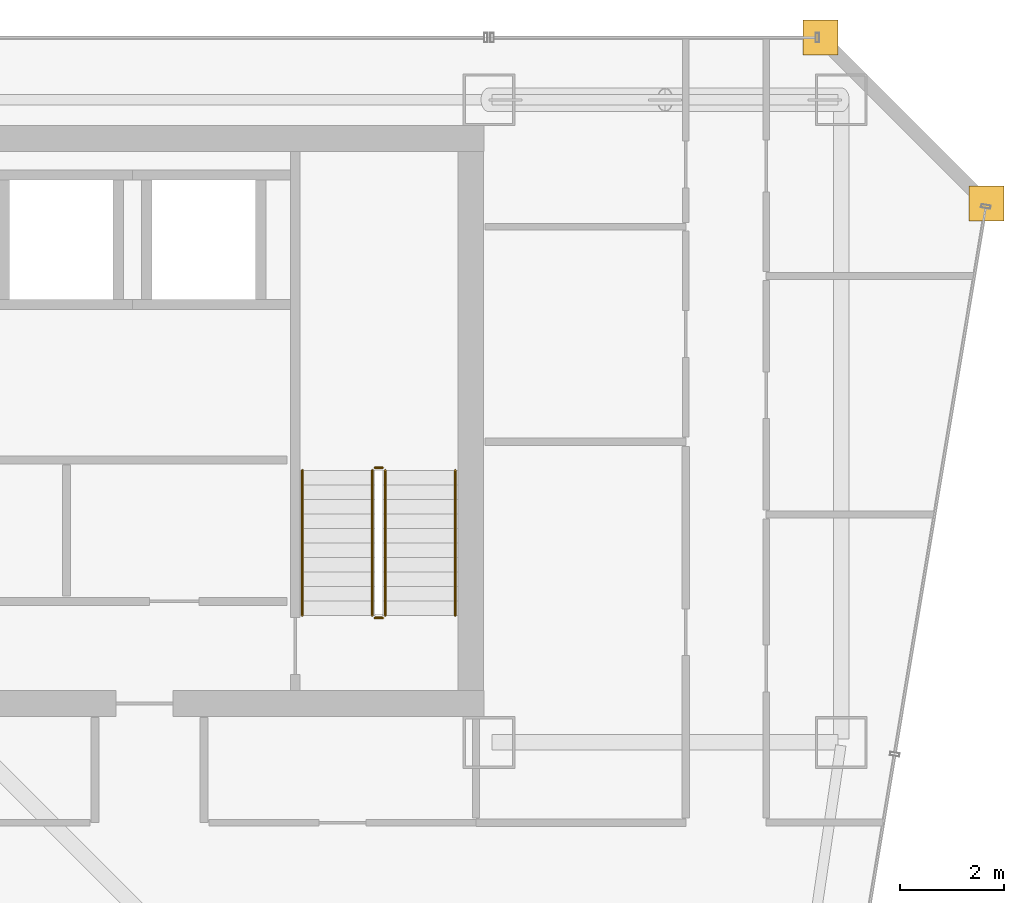
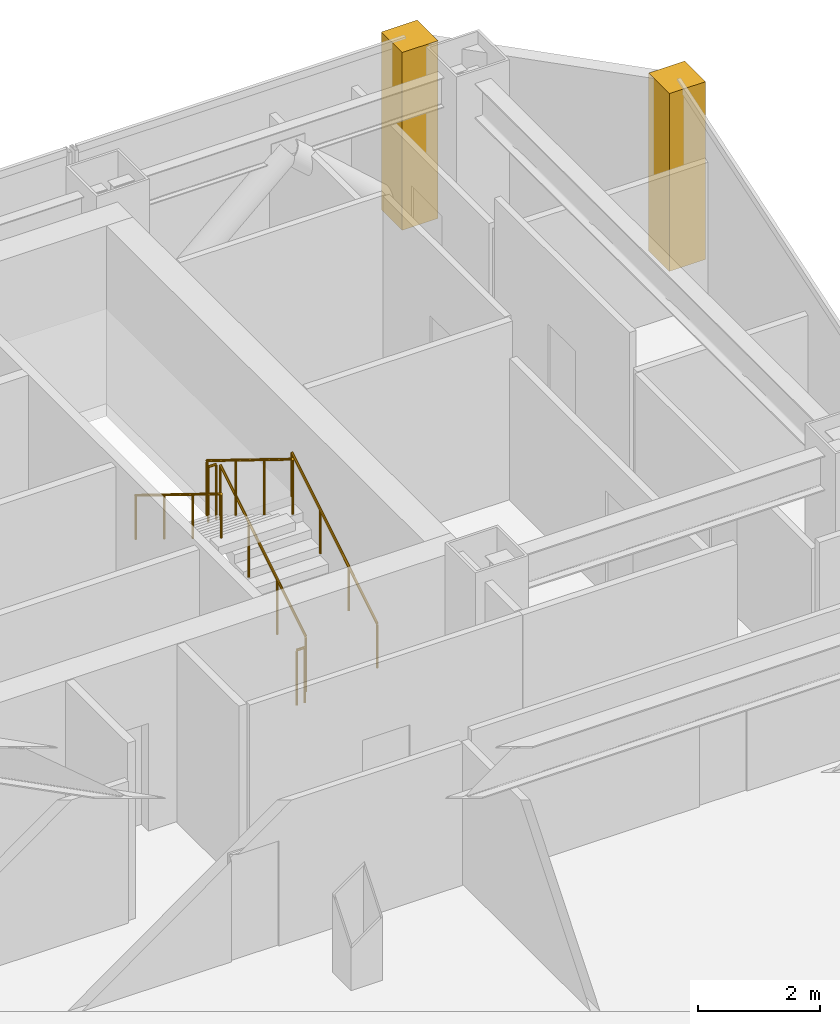
# One storey, part 37 of 37: 6 railings, 2 coverings.
"""IFC4 building model written with IfcOpenShell, lengths in metres."""

from ifc_helpers import new_model, si_unit, direction, frame, origin, origin_2d, place, context, subcontext, project, spatial, polyline, circle, outline, extrude, material, layer, layer_set, type_object, element, save


model = new_model("IFC4")

# Units and contexts
model_context = context("Model", 3, precision=1e-05, world=origin(), true_north=direction((0.0, 1.0)))
body_context = subcontext(model_context, "Body", "Model", "MODEL_VIEW")
ifc_project = project(units=[si_unit("LENGTHUNIT", "METRE"), si_unit("AREAUNIT", "SQUARE_METRE"), si_unit("VOLUMEUNIT", "CUBIC_METRE"), si_unit("PLANEANGLEUNIT", "RADIAN"), si_unit("MASSUNIT", "GRAM", prefix="KILO")], contexts=[model_context])

# Site, building, storey
site_placement = place(None, origin())
site = spatial("IfcSite", under=ifc_project, at=site_placement, CompositionType="ELEMENT")
building_placement = place(site_placement, origin())
building = spatial("IfcBuilding", under=site, at=building_placement, Name="Saevonmaru Cultural Tower", CompositionType="ELEMENT")
storey_placement = place(building_placement, frame((0.0, 0.0, 160.0)))
storey = spatial("IfcBuildingStorey", under=building, at=storey_placement, Name="L35", CompositionType="ELEMENT", Elevation=160.0)

# Coverings
ifc_material_1 = material(Name="Satin Bronze Anodised Aluminium", Category="aluminium")
ifc_layer = layer(ifc_material_1, 0.679931640625, Name="Satin Bronze Anodised Aluminium")
ifc_layer_set = layer_set([ifc_layer], Name="Satin Bronze Anodised Aluminium")
covering_type = type_object("IfcCoveringType", Name="CV-CORNER-CLAD", PredefinedType="CLADDING", material=ifc_layer_set)
covering_1_placement = place(storey_placement, origin())
element("IfcCovering", 1, at=covering_1_placement, inside=storey, type_object=covering_type, Name="L35 Tower Bronze Corner Cladding Pier 9", PredefinedType="CLADDING", context=body_context, shape_type="SweptSolid", body=[
    extrude(outline(polyline([(55.659912109375, 52.4599609375), (56.340087890625, 52.4599609375), (56.340087890625, 53.139892578125), (55.659912109375, 53.139892578125), (55.659912109375, 52.4599609375)])), origin(), (0.0, 0.0, 1.0), 3.550048828125),
])
covering_2_placement = place(storey_placement, origin())
element("IfcCovering", 2, at=covering_2_placement, inside=storey, type_object=covering_type, Name="L35 Tower Bronze Corner Cladding Pier 10", PredefinedType="CLADDING", context=body_context, shape_type="SweptSolid", body=[
    extrude(outline(polyline([(52.4599609375, 55.659912109375), (53.139892578125, 55.659912109375), (53.139892578125, 56.340087890625), (52.4599609375, 56.340087890625), (52.4599609375, 55.659912109375)])), origin(), (0.0, 0.0, 1.0), 3.550048828125),
])

# Railings
ifc_material_2 = material(Name="Architectural Painted Steel", Category="steel")
railing_type_1 = type_object("IfcRailingType", Name="RL-STAIR-GUARD", PredefinedType="GUARDRAIL", material=ifc_material_2)
railing_1_placement = place(storey_placement, frame((44.39990234375, 44.85009765625, 0.172607421875)))
element("IfcRailing", 3, at=railing_1_placement, inside=storey, type_object=railing_type_1, Name="L35 ST-2 stair guard 1", PredefinedType="GUARDRAIL", context=body_context, shape_type="SweptSolid", body=[
    extrude(circle(Radius=0.02392578125, at=origin_2d()), frame((0.0, 0.0, 1.09619140625), z_axis=(0.0, 0.851069175582, 0.525053576669), x_axis=(-1.0, 0.0, 0.0)), (0.0, 0.0, 1.0), 3.289794921875),
    extrude(circle(Radius=0.02099609375, at=origin_2d()), origin(), (0.0, 0.0, 1.0), 1.072021484375),
    extrude(circle(Radius=0.02099609375, at=origin_2d()), frame((0.0, 0.933349609375, 0.57568359375)), (0.0, 0.0, 1.0), 1.072021484375),
    extrude(circle(Radius=0.02099609375, at=origin_2d()), frame((0.0, 1.866455078125, 1.151611328125)), (0.0, 0.0, 1.0), 1.072021484375),
    extrude(circle(Radius=0.02099609375, at=origin_2d()), frame((0.0, 2.7998046875, 1.727294921875)), (0.0, 0.0, 1.0), 1.072021484375),
])
railing_2_placement = place(storey_placement, frame((44.35009765625, 47.699951171875, 1.89990234375)))
element("IfcRailing", 4, at=railing_2_placement, inside=storey, type_object=railing_type_1, Name="L35 ST-2 stair guard 2", PredefinedType="GUARDRAIL", context=body_context, shape_type="SweptSolid", body=[
    extrude(circle(Radius=0.02392578125, at=origin_2d()), frame((0.0, 0.0, 1.09619140625), z_axis=(-1.0, 0.0, 0.0), x_axis=(0.0, -1.0, 0.0)), (0.0, 0.0, 1.0), 0.150146484375),
    extrude(circle(Radius=0.02099609375, at=origin_2d()), origin(), (0.0, 0.0, 1.0), 1.072021484375),
    extrude(circle(Radius=0.02099609375, at=origin_2d()), frame((-0.150146484375, 0.0, 0.0)), (0.0, 0.0, 1.0), 1.072021484375),
])
railing_3_placement = place(storey_placement, frame((44.14990234375, 47.64990234375, 2.07275390625)))
element("IfcRailing", 5, at=railing_3_placement, inside=storey, type_object=railing_type_1, Name="L35 ST-2 stair guard 3", PredefinedType="GUARDRAIL", context=body_context, shape_type="SweptSolid", body=[
    extrude(circle(Radius=0.02392578125, at=origin_2d()), frame((0.0, 0.0, 1.09619140625), z_axis=(0.0, -0.851069175582, 0.525053576669), x_axis=(1.0, 0.0, 0.0)), (0.0, 0.0, 1.0), 3.289794921875),
    extrude(circle(Radius=0.02099609375, at=origin_2d()), origin(), (0.0, 0.0, 1.0), 1.072021484375),
    extrude(circle(Radius=0.02099609375, at=origin_2d()), frame((0.0, -0.933349609375, 0.57568359375)), (0.0, 0.0, 1.0), 1.072021484375),
    extrude(circle(Radius=0.02099609375, at=origin_2d()), frame((0.0, -1.866455078125, 1.151611328125)), (0.0, 0.0, 1.0), 1.072021484375),
    extrude(circle(Radius=0.02099609375, at=origin_2d()), frame((0.0, -2.7998046875, 1.727294921875)), (0.0, 0.0, 1.0), 1.072021484375),
])
railing_4_placement = place(storey_placement, frame((44.35009765625, 44.800048828125, 0.0)))
element("IfcRailing", 6, at=railing_4_placement, inside=storey, type_object=railing_type_1, Name="L35 ST-2 stair guard 4", PredefinedType="GUARDRAIL", context=body_context, shape_type="SweptSolid", body=[
    extrude(circle(Radius=0.02392578125, at=origin_2d()), frame((0.0, 0.0, 1.09619140625), z_axis=(-1.0, 0.0, 0.0), x_axis=(0.0, -1.0, 0.0)), (0.0, 0.0, 1.0), 0.150146484375),
    extrude(circle(Radius=0.02099609375, at=origin_2d()), origin(), (0.0, 0.0, 1.0), 1.072021484375),
    extrude(circle(Radius=0.02099609375, at=origin_2d()), frame((-0.150146484375, 0.0, 0.0)), (0.0, 0.0, 1.0), 1.072021484375),
])
railing_type_2 = type_object("IfcRailingType", Name="RL-STAIR-HANDRAIL", PredefinedType="HANDRAIL", material=ifc_material_1)
railing_5_placement = place(storey_placement, frame((45.75, 44.85009765625, 0.172607421875)))
element("IfcRailing", 7, at=railing_5_placement, inside=storey, type_object=railing_type_2, Name="L35 ST-2 stair handrail 1", PredefinedType="HANDRAIL", context=body_context, shape_type="SweptSolid", body=[
    extrude(circle(Radius=0.02392578125, at=origin_2d()), frame((0.0, 0.0, 0.8759765625), z_axis=(0.0, 0.851069175582, 0.525053576669), x_axis=(-1.0, 0.0, 0.0)), (0.0, 0.0, 1.0), 3.289794921875),
    extrude(circle(Radius=0.02099609375, at=origin_2d()), origin(), (0.0, 0.0, 1.0), 0.851806640625),
    extrude(circle(Radius=0.02099609375, at=origin_2d()), frame((0.0, 0.933349609375, 0.57568359375)), (0.0, 0.0, 1.0), 0.851806640625),
    extrude(circle(Radius=0.02099609375, at=origin_2d()), frame((0.0, 1.866455078125, 1.151611328125)), (0.0, 0.0, 1.0), 0.851806640625),
    extrude(circle(Radius=0.02099609375, at=origin_2d()), frame((0.0, 2.7998046875, 1.727294921875)), (0.0, 0.0, 1.0), 0.851806640625),
])
railing_6_placement = place(storey_placement, frame((42.800048828125, 47.64990234375, 2.07275390625)))
element("IfcRailing", 8, at=railing_6_placement, inside=storey, type_object=railing_type_2, Name="L35 ST-2 stair handrail 2", PredefinedType="HANDRAIL", context=body_context, shape_type="SweptSolid", body=[
    extrude(circle(Radius=0.02392578125, at=origin_2d()), frame((0.0, 0.0, 0.8759765625), z_axis=(0.0, -0.851069175582, 0.525053576669), x_axis=(1.0, 0.0, 0.0)), (0.0, 0.0, 1.0), 3.289794921875),
    extrude(circle(Radius=0.02099609375, at=origin_2d()), origin(), (0.0, 0.0, 1.0), 0.851806640625),
    extrude(circle(Radius=0.02099609375, at=origin_2d()), frame((0.0, -0.933349609375, 0.57568359375)), (0.0, 0.0, 1.0), 0.851806640625),
    extrude(circle(Radius=0.02099609375, at=origin_2d()), frame((0.0, -1.866455078125, 1.151611328125)), (0.0, 0.0, 1.0), 0.851806640625),
    extrude(circle(Radius=0.02099609375, at=origin_2d()), frame((0.0, -2.7998046875, 1.727294921875)), (0.0, 0.0, 1.0), 0.851806640625),
])

save(model, "model.ifc")
